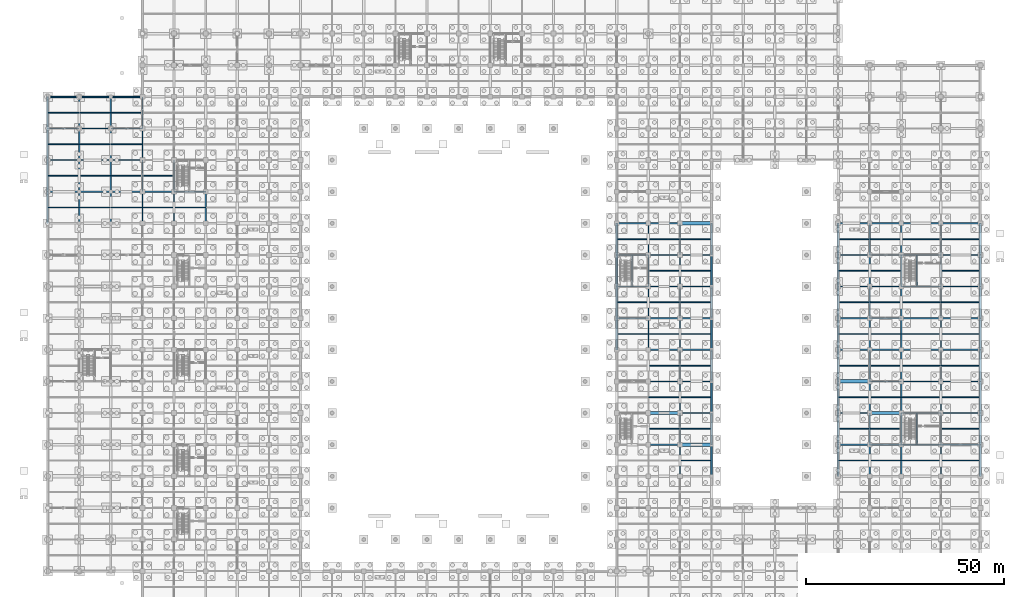
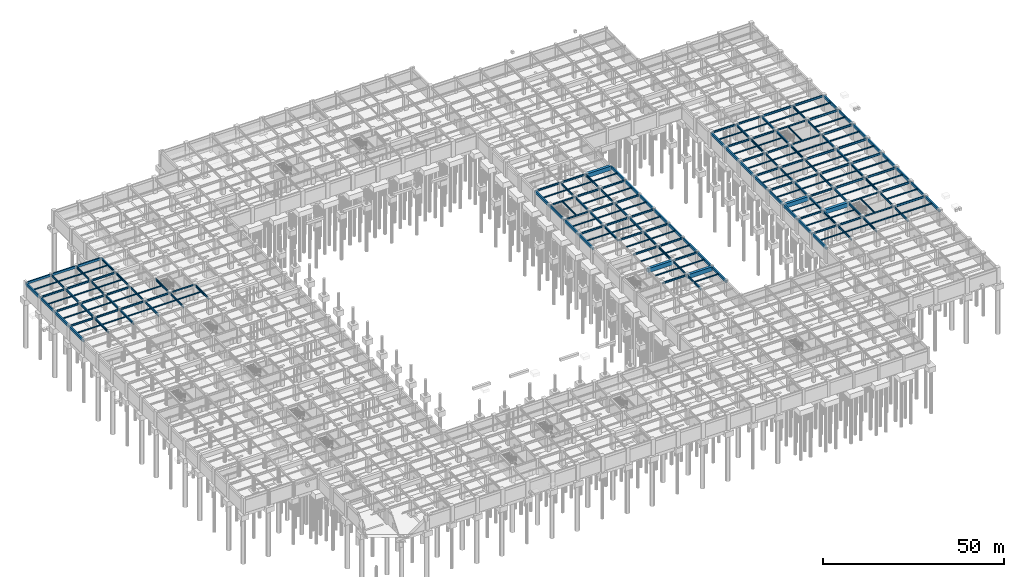
# One storey, part 62 of 97: 215 beams.
"""IFC4 building model written with IfcOpenShell, lengths in metres."""

from ifc_helpers import new_model, si_unit, direction, frame, origin, origin_2d, place, context, subcontext, project, spatial, rectangle, i_section, extrude, material, material_profile, profile_set, type_object, element, save


model = new_model("IFC4")

# Units and contexts
model_context = context("Model", 3, precision=1e-05, world=origin(), true_north=direction((0.0, 1.0)))
body_context = subcontext(model_context, "Body", "Model", "MODEL_VIEW")
ifc_project = project(units=[si_unit("LENGTHUNIT", "METRE"), si_unit("AREAUNIT", "SQUARE_METRE"), si_unit("VOLUMEUNIT", "CUBIC_METRE"), si_unit("PLANEANGLEUNIT", "RADIAN"), si_unit("MASSUNIT", "GRAM", prefix="KILO")], contexts=[model_context])

# Site, building, storey
site_placement = place(None, origin())
site = spatial("IfcSite", under=ifc_project, at=site_placement, CompositionType="ELEMENT")
building_placement = place(site_placement, origin())
building = spatial("IfcBuilding", under=site, at=building_placement, Name="Haebicheon Civic Stadium", CompositionType="ELEMENT")
storey_placement = place(building_placement, frame((0.0, 0.0, -5.39990234375)))
storey = spatial("IfcBuildingStorey", under=building, at=storey_placement, Name="B1", CompositionType="ELEMENT", Elevation=-5.39990234375)

# Beams
ifc_material_1 = material(Name="Steel SM355 (S355)", Category="steel")
ifc_material_profile_1 = material_profile(ifc_material_1, i_section(OverallWidth=0.199951171875, OverallDepth=0.5, WebThickness=0.010009765625, FlangeThickness=0.01611328125, at=origin_2d()), Name="H-500x200x10x16")
ifc_profile_set_1 = profile_set([ifc_material_profile_1], Name="Steel SM355 (S355)")
beam_type_1 = type_object("IfcBeamType", Name="BM-ST-H500", PredefinedType="BEAM", material=ifc_profile_set_1)
for number, where, z_axis, x_axis, name in (
    (1, (32.0, 128.0, 4.849853515625), (1.0, 0.0, 0.0), (0.0, 1.0, 0.0), "B1 beam S/5-6"),
    (2, (144.0, 104.0, 4.849853515625), (1.0, 0.0, 0.0), (0.0, 1.0, 0.0), "B1 beam P/19-20"),
    (3, (144.0, 112.0, 4.849853515625), (1.0, 0.0, 0.0), (0.0, 1.0, 0.0), "B1 beam Q/19-20"),
):
    element("IfcBeam", number, at=place(storey_placement, frame(where, z_axis=z_axis, x_axis=x_axis)), inside=storey, type_object=beam_type_1, material=ifc_profile_set_1, Name=name, PredefinedType="BEAM", context=body_context, shape_type="SweptSolid", body=[
        extrude(i_section(OverallWidth=0.199951171875, OverallDepth=0.5, WebThickness=0.010009765625, FlangeThickness=0.01611328125, at=origin_2d()), origin(), (0.0, 0.0, 1.0), 8.0),
    ])
for number, where, z_axis, x_axis, name in (
    (4, (216.0, 64.0, 4.849853515625), (1.0, 0.0, 0.0), (0.0, 1.0, 0.0), "B1 beam J/28-29"),
    (5, (216.0, 72.0, 4.849853515625), (1.0, 0.0, 0.0), (0.0, 1.0, 0.0), "B1 beam K/28-29"),
    (6, (216.0, 104.0, 4.849853515625), (1.0, 0.0, 0.0), (0.0, 1.0, 0.0), "B1 beam P/28-29"),
    (7, (216.0, 112.0, 4.849853515625), (1.0, 0.0, 0.0), (0.0, 1.0, 0.0), "B1 beam Q/28-29"),
):
    element("IfcBeam", number, at=place(storey_placement, frame(where, z_axis=z_axis, x_axis=x_axis)), inside=storey, type_object=beam_type_1, material=ifc_profile_set_1, Name=name, PredefinedType="BEAM", context=body_context, shape_type="SweptSolid", body=[
        extrude(i_section(OverallWidth=0.199951171875, OverallDepth=0.5, WebThickness=0.010009765625, FlangeThickness=0.01611328125, at=origin_2d()), origin(), (0.0, 0.0, 1.0), 10.0),
    ])
for number, where, z_axis, x_axis, name in (
    (8, (147.8798828125, 104.10009765625, 4.849853515625), (0.0, 1.0, 0.0), (-1.0, 0.0, 0.0), "B1 KC-11 core dividing wall support beam"),
    (9, (219.8798828125, 64.10009765625, 4.849853515625), (0.0, 1.0, 0.0), (-1.0, 0.0, 0.0), "B1 KC-12 core dividing wall support beam"),
    (10, (219.8798828125, 104.10009765625, 4.849853515625), (0.0, 1.0, 0.0), (-1.0, 0.0, 0.0), "B1 KC-13 core dividing wall support beam"),
):
    element("IfcBeam", number, at=place(storey_placement, frame(where, z_axis=z_axis, x_axis=x_axis)), inside=storey, type_object=beam_type_1, material=ifc_profile_set_1, Name=name, PredefinedType="BEAM", context=body_context, shape_type="SweptSolid", body=[
        extrude(i_section(OverallWidth=0.199951171875, OverallDepth=0.5, WebThickness=0.010009765625, FlangeThickness=0.01611328125, at=origin_2d()), origin(), (0.0, 0.0, 1.0), 7.7998046875),
    ])
ifc_material_2 = material(Name="Steel SM355 (S355)", Category="steel")
ifc_material_profile_2 = material_profile(ifc_material_2, i_section(OverallWidth=0.300048828125, OverallDepth=0.60009765625, WebThickness=0.011962890625, FlangeThickness=0.02001953125, at=origin_2d()), Name="H-600x300x12x20")
ifc_profile_set_2 = profile_set([ifc_material_profile_2], Name="Steel SM355 (S355)")
beam_type_2 = type_object("IfcBeamType", Name="BM-ST-H600A", PredefinedType="BEAM", material=ifc_profile_set_2)
for number, where, z_axis, x_axis, name in (
    (11, (0.0, 128.0, 4.7998046875), (1.0, 0.0, 0.0), (0.0, 1.0, 0.0), "B1 beam S/1-2"),
    (12, (0.0, 136.0, 4.7998046875), (1.0, 0.0, 0.0), (0.0, 1.0, 0.0), "B1 beam T/1-2"),
    (13, (0.0, 144.0, 4.7998046875), (1.0, 0.0, 0.0), (0.0, 1.0, 0.0), "B1 beam U/1-2"),
    (14, (8.0, 128.0, 4.7998046875), (1.0, 0.0, 0.0), (0.0, 1.0, 0.0), "B1 beam S/2-3"),
    (15, (8.0, 136.0, 4.7998046875), (1.0, 0.0, 0.0), (0.0, 1.0, 0.0), "B1 beam T/2-3"),
    (16, (8.0, 144.0, 4.7998046875), (1.0, 0.0, 0.0), (0.0, 1.0, 0.0), "B1 beam U/2-3"),
    (17, (16.0, 128.0, 4.7998046875), (1.0, 0.0, 0.0), (0.0, 1.0, 0.0), "B1 beam S/3-4"),
    (18, (16.0, 136.0, 4.7998046875), (1.0, 0.0, 0.0), (0.0, 1.0, 0.0), "B1 beam T/3-4"),
    (19, (16.0, 144.0, 4.7998046875), (1.0, 0.0, 0.0), (0.0, 1.0, 0.0), "B1 beam U/3-4"),
    (20, (24.0, 128.0, 4.7998046875), (1.0, 0.0, 0.0), (0.0, 1.0, 0.0), "B1 beam S/4-5"),
    (21, (144.0, 96.0, 4.7998046875), (1.0, 0.0, 0.0), (0.0, 1.0, 0.0), "B1 beam N/19-20"),
    (22, (144.0, 120.0, 4.7998046875), (1.0, 0.0, 0.0), (0.0, 1.0, 0.0), "B1 beam R/19-20"),
    (23, (152.0, 64.0, 4.7998046875), (1.0, 0.0, 0.0), (0.0, 1.0, 0.0), "B1 beam J/20-21"),
    (24, (152.0, 80.0, 4.7998046875), (1.0, 0.0, 0.0), (0.0, 1.0, 0.0), "B1 beam L/20-21"),
    (25, (152.0, 88.0, 4.7998046875), (1.0, 0.0, 0.0), (0.0, 1.0, 0.0), "B1 beam M/20-21"),
    (26, (152.0, 96.0, 4.7998046875), (1.0, 0.0, 0.0), (0.0, 1.0, 0.0), "B1 beam N/20-21"),
    (27, (152.0, 104.0, 4.7998046875), (1.0, 0.0, 0.0), (0.0, 1.0, 0.0), "B1 beam P/20-21"),
    (28, (152.0, 112.0, 4.7998046875), (1.0, 0.0, 0.0), (0.0, 1.0, 0.0), "B1 beam Q/20-21"),
    (29, (152.0, 120.0, 4.7998046875), (1.0, 0.0, 0.0), (0.0, 1.0, 0.0), "B1 beam R/20-21"),
    (30, (160.0, 72.0, 4.7998046875), (1.0, 0.0, 0.0), (0.0, 1.0, 0.0), "B1 beam K/21-22"),
    (31, (160.0, 80.0, 4.7998046875), (1.0, 0.0, 0.0), (0.0, 1.0, 0.0), "B1 beam L/21-22"),
    (32, (160.0, 88.0, 4.7998046875), (1.0, 0.0, 0.0), (0.0, 1.0, 0.0), "B1 beam M/21-22"),
    (33, (160.0, 96.0, 4.7998046875), (1.0, 0.0, 0.0), (0.0, 1.0, 0.0), "B1 beam N/21-22"),
    (34, (160.0, 104.0, 4.7998046875), (1.0, 0.0, 0.0), (0.0, 1.0, 0.0), "B1 beam P/21-22"),
    (35, (160.0, 112.0, 4.7998046875), (1.0, 0.0, 0.0), (0.0, 1.0, 0.0), "B1 beam Q/21-22"),
    (36, (200.0, 64.0, 4.7998046875), (1.0, 0.0, 0.0), (0.0, 1.0, 0.0), "B1 beam J/26-27"),
    (37, (200.0, 72.0, 4.7998046875), (1.0, 0.0, 0.0), (0.0, 1.0, 0.0), "B1 beam K/26-27"),
    (38, (200.0, 88.0, 4.7998046875), (1.0, 0.0, 0.0), (0.0, 1.0, 0.0), "B1 beam M/26-27"),
    (39, (200.0, 96.0, 4.7998046875), (1.0, 0.0, 0.0), (0.0, 1.0, 0.0), "B1 beam N/26-27"),
    (40, (200.0, 104.0, 4.7998046875), (1.0, 0.0, 0.0), (0.0, 1.0, 0.0), "B1 beam P/26-27"),
    (41, (200.0, 112.0, 4.7998046875), (1.0, 0.0, 0.0), (0.0, 1.0, 0.0), "B1 beam Q/26-27"),
    (42, (200.0, 120.0, 4.7998046875), (1.0, 0.0, 0.0), (0.0, 1.0, 0.0), "B1 beam R/26-27"),
    (43, (208.0, 64.0, 4.7998046875), (1.0, 0.0, 0.0), (0.0, 1.0, 0.0), "B1 beam J/27-28"),
    (44, (208.0, 80.0, 4.7998046875), (1.0, 0.0, 0.0), (0.0, 1.0, 0.0), "B1 beam L/27-28"),
    (45, (208.0, 88.0, 4.7998046875), (1.0, 0.0, 0.0), (0.0, 1.0, 0.0), "B1 beam M/27-28"),
    (46, (208.0, 96.0, 4.7998046875), (1.0, 0.0, 0.0), (0.0, 1.0, 0.0), "B1 beam N/27-28"),
    (47, (208.0, 104.0, 4.7998046875), (1.0, 0.0, 0.0), (0.0, 1.0, 0.0), "B1 beam P/27-28"),
    (48, (208.0, 112.0, 4.7998046875), (1.0, 0.0, 0.0), (0.0, 1.0, 0.0), "B1 beam Q/27-28"),
    (49, (208.0, 120.0, 4.7998046875), (1.0, 0.0, 0.0), (0.0, 1.0, 0.0), "B1 beam R/27-28"),
):
    element("IfcBeam", number, at=place(storey_placement, frame(where, z_axis=z_axis, x_axis=x_axis)), inside=storey, type_object=beam_type_2, material=ifc_profile_set_2, Name=name, PredefinedType="BEAM", context=body_context, shape_type="SweptSolid", body=[
        extrude(i_section(OverallWidth=0.300048828125, OverallDepth=0.60009765625, WebThickness=0.011962890625, FlangeThickness=0.02001953125, at=origin_2d()), origin(), (0.0, 0.0, 1.0), 8.0),
    ])
ifc_material_3 = material(Name="Steel SM490", Category="steel")
ifc_material_profile_3 = material_profile(ifc_material_3, i_section(OverallWidth=0.300048828125, OverallDepth=0.699951171875, WebThickness=0.012939453125, FlangeThickness=0.02392578125, at=origin_2d()), Name="H-700x300x13x24")
ifc_profile_set_3 = profile_set([ifc_material_profile_3], Name="Steel SM490")
beam_type_3 = type_object("IfcBeamType", Name="BM-ST-H700", PredefinedType="BEAM", material=ifc_profile_set_3)
for number, where, z_axis, x_axis, name in (
    (50, (8.0, 120.0, 4.75), (0.0, 1.0, 0.0), (-1.0, 0.0, 0.0), "B1 girder 2/R-S"),
    (51, (8.0, 128.0, 4.75), (0.0, 1.0, 0.0), (-1.0, 0.0, 0.0), "B1 girder 2/S-T"),
    (52, (8.0, 136.0, 4.75), (0.0, 1.0, 0.0), (-1.0, 0.0, 0.0), "B1 girder 2/T-U"),
    (53, (8.0, 144.0, 4.75), (0.0, 1.0, 0.0), (-1.0, 0.0, 0.0), "B1 girder 2/U-V"),
    (54, (16.0, 120.0, 4.75), (0.0, 1.0, 0.0), (-1.0, 0.0, 0.0), "B1 girder 3/R-S"),
    (55, (16.0, 128.0, 4.75), (0.0, 1.0, 0.0), (-1.0, 0.0, 0.0), "B1 girder 3/S-T"),
    (56, (16.0, 136.0, 4.75), (0.0, 1.0, 0.0), (-1.0, 0.0, 0.0), "B1 girder 3/T-U"),
    (57, (16.0, 144.0, 4.75), (0.0, 1.0, 0.0), (-1.0, 0.0, 0.0), "B1 girder 3/U-V"),
    (58, (24.0, 120.0, 4.75), (0.0, 1.0, 0.0), (-1.0, 0.0, 0.0), "B1 girder 4/R-S"),
    (59, (24.0, 128.0, 4.75), (0.0, 1.0, 0.0), (-1.0, 0.0, 0.0), "B1 girder 4/S-T"),
    (60, (24.0, 136.0, 4.75), (0.0, 1.0, 0.0), (-1.0, 0.0, 0.0), "B1 girder 4/T-U"),
    (61, (24.0, 144.0, 4.75), (0.0, 1.0, 0.0), (-1.0, 0.0, 0.0), "B1 girder 4/U-V"),
    (62, (32.0, 120.0, 4.75), (0.0, 1.0, 0.0), (-1.0, 0.0, 0.0), "B1 girder 5/R-S"),
    (63, (32.0, 128.0, 4.75), (0.0, 1.0, 0.0), (-1.0, 0.0, 0.0), "B1 girder 5/S-T"),
    (64, (40.0, 120.0, 4.75), (0.0, 1.0, 0.0), (-1.0, 0.0, 0.0), "B1 girder 6/R-S"),
    (65, (152.0, 88.0, 4.75), (0.0, 1.0, 0.0), (-1.0, 0.0, 0.0), "B1 girder 20/M-N"),
    (66, (152.0, 96.0, 4.75), (0.0, 1.0, 0.0), (-1.0, 0.0, 0.0), "B1 girder 20/N-P"),
    (67, (152.0, 104.0, 4.75), (0.0, 1.0, 0.0), (-1.0, 0.0, 0.0), "B1 girder 20/P-Q"),
    (68, (152.0, 112.0, 4.75), (0.0, 1.0, 0.0), (-1.0, 0.0, 0.0), "B1 girder 20/Q-R"),
    (69, (160.0, 56.0, 4.75), (0.0, 1.0, 0.0), (-1.0, 0.0, 0.0), "B1 girder 21/H-J"),
    (70, (160.0, 64.0, 4.75), (0.0, 1.0, 0.0), (-1.0, 0.0, 0.0), "B1 girder 21/J-K"),
    (71, (160.0, 72.0, 4.75), (0.0, 1.0, 0.0), (-1.0, 0.0, 0.0), "B1 girder 21/K-L"),
    (72, (160.0, 80.0, 4.75), (0.0, 1.0, 0.0), (-1.0, 0.0, 0.0), "B1 girder 21/L-M"),
    (73, (160.0, 88.0, 4.75), (0.0, 1.0, 0.0), (-1.0, 0.0, 0.0), "B1 girder 21/M-N"),
    (74, (160.0, 96.0, 4.75), (0.0, 1.0, 0.0), (-1.0, 0.0, 0.0), "B1 girder 21/N-P"),
    (75, (160.0, 104.0, 4.75), (0.0, 1.0, 0.0), (-1.0, 0.0, 0.0), "B1 girder 21/P-Q"),
    (76, (160.0, 112.0, 4.75), (0.0, 1.0, 0.0), (-1.0, 0.0, 0.0), "B1 girder 21/Q-R"),
    (77, (208.0, 56.0, 4.75), (0.0, 1.0, 0.0), (-1.0, 0.0, 0.0), "B1 girder 27/H-J"),
    (78, (208.0, 64.0, 4.75), (0.0, 1.0, 0.0), (-1.0, 0.0, 0.0), "B1 girder 27/J-K"),
    (79, (208.0, 72.0, 4.75), (0.0, 1.0, 0.0), (-1.0, 0.0, 0.0), "B1 girder 27/K-L"),
    (80, (208.0, 80.0, 4.75), (0.0, 1.0, 0.0), (-1.0, 0.0, 0.0), "B1 girder 27/L-M"),
    (81, (208.0, 88.0, 4.75), (0.0, 1.0, 0.0), (-1.0, 0.0, 0.0), "B1 girder 27/M-N"),
    (82, (208.0, 96.0, 4.75), (0.0, 1.0, 0.0), (-1.0, 0.0, 0.0), "B1 girder 27/N-P"),
    (83, (208.0, 104.0, 4.75), (0.0, 1.0, 0.0), (-1.0, 0.0, 0.0), "B1 girder 27/P-Q"),
    (84, (208.0, 112.0, 4.75), (0.0, 1.0, 0.0), (-1.0, 0.0, 0.0), "B1 girder 27/Q-R"),
    (85, (216.0, 56.0, 4.75), (0.0, 1.0, 0.0), (-1.0, 0.0, 0.0), "B1 girder 28/H-J"),
    (86, (216.0, 64.0, 4.75), (0.0, 1.0, 0.0), (-1.0, 0.0, 0.0), "B1 girder 28/J-K"),
    (87, (216.0, 72.0, 4.75), (0.0, 1.0, 0.0), (-1.0, 0.0, 0.0), "B1 girder 28/K-L"),
    (88, (216.0, 80.0, 4.75), (0.0, 1.0, 0.0), (-1.0, 0.0, 0.0), "B1 girder 28/L-M"),
    (89, (216.0, 88.0, 4.75), (0.0, 1.0, 0.0), (-1.0, 0.0, 0.0), "B1 girder 28/M-N"),
    (90, (216.0, 96.0, 4.75), (0.0, 1.0, 0.0), (-1.0, 0.0, 0.0), "B1 girder 28/N-P"),
    (91, (216.0, 104.0, 4.75), (0.0, 1.0, 0.0), (-1.0, 0.0, 0.0), "B1 girder 28/P-Q"),
    (92, (216.0, 112.0, 4.75), (0.0, 1.0, 0.0), (-1.0, 0.0, 0.0), "B1 girder 28/Q-R"),
    (93, (226.0, 56.0, 4.75), (0.0, 1.0, 0.0), (-1.0, 0.0, 0.0), "B1 girder 29/H-J"),
    (94, (226.0, 64.0, 4.75), (0.0, 1.0, 0.0), (-1.0, 0.0, 0.0), "B1 girder 29/J-K"),
    (95, (226.0, 72.0, 4.75), (0.0, 1.0, 0.0), (-1.0, 0.0, 0.0), "B1 girder 29/K-L"),
    (96, (226.0, 80.0, 4.75), (0.0, 1.0, 0.0), (-1.0, 0.0, 0.0), "B1 girder 29/L-M"),
    (97, (226.0, 88.0, 4.75), (0.0, 1.0, 0.0), (-1.0, 0.0, 0.0), "B1 girder 29/M-N"),
    (98, (226.0, 96.0, 4.75), (0.0, 1.0, 0.0), (-1.0, 0.0, 0.0), "B1 girder 29/N-P"),
    (99, (226.0, 104.0, 4.75), (0.0, 1.0, 0.0), (-1.0, 0.0, 0.0), "B1 girder 29/P-Q"),
    (100, (226.0, 112.0, 4.75), (0.0, 1.0, 0.0), (-1.0, 0.0, 0.0), "B1 girder 29/Q-R"),
):
    element("IfcBeam", number, at=place(storey_placement, frame(where, z_axis=z_axis, x_axis=x_axis)), inside=storey, type_object=beam_type_3, material=ifc_profile_set_3, Name=name, PredefinedType="BEAM", context=body_context, shape_type="SweptSolid", body=[
        extrude(i_section(OverallWidth=0.300048828125, OverallDepth=0.699951171875, WebThickness=0.012939453125, FlangeThickness=0.02392578125, at=origin_2d()), origin(), (0.0, 0.0, 1.0), 8.0),
    ])
for number, where, z_axis, x_axis, name in (
    (101, (216.0, 80.0, 4.75), (1.0, 0.0, 0.0), (0.0, 1.0, 0.0), "B1 beam L/28-29"),
    (102, (216.0, 88.0, 4.75), (1.0, 0.0, 0.0), (0.0, 1.0, 0.0), "B1 beam M/28-29"),
    (103, (216.0, 96.0, 4.75), (1.0, 0.0, 0.0), (0.0, 1.0, 0.0), "B1 beam N/28-29"),
    (104, (216.0, 120.0, 4.75), (1.0, 0.0, 0.0), (0.0, 1.0, 0.0), "B1 beam R/28-29"),
    (105, (226.0, 64.0, 4.75), (1.0, 0.0, 0.0), (0.0, 1.0, 0.0), "B1 beam J/29-30"),
    (106, (226.0, 72.0, 4.75), (1.0, 0.0, 0.0), (0.0, 1.0, 0.0), "B1 beam K/29-30"),
    (107, (226.0, 80.0, 4.75), (1.0, 0.0, 0.0), (0.0, 1.0, 0.0), "B1 beam L/29-30"),
    (108, (226.0, 88.0, 4.75), (1.0, 0.0, 0.0), (0.0, 1.0, 0.0), "B1 beam M/29-30"),
    (109, (226.0, 96.0, 4.75), (1.0, 0.0, 0.0), (0.0, 1.0, 0.0), "B1 beam N/29-30"),
    (110, (226.0, 104.0, 4.75), (1.0, 0.0, 0.0), (0.0, 1.0, 0.0), "B1 beam P/29-30"),
    (111, (226.0, 112.0, 4.75), (1.0, 0.0, 0.0), (0.0, 1.0, 0.0), "B1 beam Q/29-30"),
    (112, (226.0, 120.0, 4.75), (1.0, 0.0, 0.0), (0.0, 1.0, 0.0), "B1 beam R/29-30"),
):
    element("IfcBeam", number, at=place(storey_placement, frame(where, z_axis=z_axis, x_axis=x_axis)), inside=storey, type_object=beam_type_3, material=ifc_profile_set_3, Name=name, PredefinedType="BEAM", context=body_context, shape_type="SweptSolid", body=[
        extrude(i_section(OverallWidth=0.300048828125, OverallDepth=0.699951171875, WebThickness=0.012939453125, FlangeThickness=0.02392578125, at=origin_2d()), origin(), (0.0, 0.0, 1.0), 10.0),
    ])
ifc_material_4 = material(Name="Concrete C40/50", Category="concrete")
ifc_material_profile_4 = material_profile(ifc_material_4, rectangle(XDim=0.85009765625, YDim=1.39990234375, at=origin_2d()), Name="RC-TG-850x1400")
ifc_profile_set_4 = profile_set([ifc_material_profile_4], Name="Concrete C40/50")
beam_type_4 = type_object("IfcBeamType", Name="BM-TG-850x1400", PredefinedType="BEAM", material=ifc_profile_set_4)
for number, where, z_axis, x_axis, name in (
    (113, (152.0, 72.0, 4.39990234375), (1.0, 0.0, 0.0), (0.0, 1.0, 0.0), "B1 beam K/20-21"),
    (114, (160.0, 64.0, 4.39990234375), (1.0, 0.0, 0.0), (0.0, 1.0, 0.0), "B1 beam J/21-22"),
    (115, (160.0, 120.0, 4.39990234375), (1.0, 0.0, 0.0), (0.0, 1.0, 0.0), "B1 beam R/21-22"),
    (116, (200.0, 80.0, 4.39990234375), (1.0, 0.0, 0.0), (0.0, 1.0, 0.0), "B1 beam L/26-27"),
    (117, (208.0, 72.0, 4.39990234375), (1.0, 0.0, 0.0), (0.0, 1.0, 0.0), "B1 beam K/27-28"),
):
    element("IfcBeam", number, at=place(storey_placement, frame(where, z_axis=z_axis, x_axis=x_axis)), inside=storey, type_object=beam_type_4, material=ifc_profile_set_4, Name=name, PredefinedType="BEAM", context=body_context, shape_type="SweptSolid", body=[
        extrude(rectangle(XDim=0.85009765625, YDim=1.39990234375, at=origin_2d()), origin(), (0.0, 0.0, 1.0), 8.0),
    ])
ifc_material_5 = material(Name="Steel SM355 (S355)", Category="steel")
ifc_material_profile_5 = material_profile(ifc_material_5, i_section(OverallWidth=0.199951171875, OverallDepth=0.39990234375, WebThickness=0.008056640625, FlangeThickness=0.012939453125, at=origin_2d()), Name="H-400x200x8x13")
ifc_profile_set_5 = profile_set([ifc_material_profile_5], Name="Steel SM355 (S355)")
beam_type_5 = type_object("IfcBeamType", Name="JST-ST-H400", PredefinedType="JOIST", material=ifc_profile_set_5)
for number, where, z_axis, x_axis, name in (
    (118, (0.22509765625, 124.0, 4.89990234375), (1.0, 0.0, 0.0), (0.0, 1.0, 0.0), "B1 secondary joist 00-15"),
    (119, (0.22509765625, 132.0, 4.89990234375), (1.0, 0.0, 0.0), (0.0, 1.0, 0.0), "B1 secondary joist 00-16"),
    (120, (0.22509765625, 140.0, 4.89990234375), (1.0, 0.0, 0.0), (0.0, 1.0, 0.0), "B1 secondary joist 00-17"),
    (121, (0.22509765625, 148.0, 4.89990234375), (1.0, 0.0, 0.0), (0.0, 1.0, 0.0), "B1 secondary joist 00-18"),
):
    element("IfcBeam", number, at=place(storey_placement, frame(where, z_axis=z_axis, x_axis=x_axis)), inside=storey, type_object=beam_type_5, material=ifc_profile_set_5, Name=name, PredefinedType="JOIST", context=body_context, shape_type="SweptSolid", body=[
        extrude(i_section(OverallWidth=0.199951171875, OverallDepth=0.39990234375, WebThickness=0.008056640625, FlangeThickness=0.012939453125, at=origin_2d()), origin(), (0.0, 0.0, 1.0), 7.625),
    ])
for number, where, z_axis, x_axis, name in (
    (122, (8.14990234375, 124.0, 4.89990234375), (1.0, 0.0, 0.0), (0.0, 1.0, 0.0), "B1 secondary joist 01-15"),
    (123, (8.14990234375, 132.0, 4.89990234375), (1.0, 0.0, 0.0), (0.0, 1.0, 0.0), "B1 secondary joist 01-16"),
    (124, (8.14990234375, 140.0, 4.89990234375), (1.0, 0.0, 0.0), (0.0, 1.0, 0.0), "B1 secondary joist 01-17"),
    (125, (8.14990234375, 148.0, 4.89990234375), (1.0, 0.0, 0.0), (0.0, 1.0, 0.0), "B1 secondary joist 01-18"),
    (126, (16.14990234375, 124.0, 4.89990234375), (1.0, 0.0, 0.0), (0.0, 1.0, 0.0), "B1 secondary joist 02-15"),
    (127, (16.14990234375, 132.0, 4.89990234375), (1.0, 0.0, 0.0), (0.0, 1.0, 0.0), "B1 secondary joist 02-16"),
    (128, (16.14990234375, 140.0, 4.89990234375), (1.0, 0.0, 0.0), (0.0, 1.0, 0.0), "B1 secondary joist 02-17"),
    (129, (16.14990234375, 148.0, 4.89990234375), (1.0, 0.0, 0.0), (0.0, 1.0, 0.0), "B1 secondary joist 02-18"),
    (130, (24.14990234375, 124.0, 4.89990234375), (1.0, 0.0, 0.0), (0.0, 1.0, 0.0), "B1 secondary joist 03-15"),
    (131, (24.14990234375, 132.0, 4.89990234375), (1.0, 0.0, 0.0), (0.0, 1.0, 0.0), "B1 secondary joist 03-16"),
    (132, (32.14990234375, 124.0, 4.89990234375), (1.0, 0.0, 0.0), (0.0, 1.0, 0.0), "B1 secondary joist 04-15"),
):
    element("IfcBeam", number, at=place(storey_placement, frame(where, z_axis=z_axis, x_axis=x_axis)), inside=storey, type_object=beam_type_5, material=ifc_profile_set_5, Name=name, PredefinedType="JOIST", context=body_context, shape_type="SweptSolid", body=[
        extrude(i_section(OverallWidth=0.199951171875, OverallDepth=0.39990234375, WebThickness=0.008056640625, FlangeThickness=0.012939453125, at=origin_2d()), origin(), (0.0, 0.0, 1.0), 7.7001953125),
    ])
for number, where, z_axis, x_axis, name in (
    (133, (144.22509765625, 92.0, 4.89990234375), (1.0, 0.0, 0.0), (0.0, 1.0, 0.0), "B1 secondary joist 18-11"),
    (134, (144.22509765625, 100.0, 4.89990234375), (1.0, 0.0, 0.0), (0.0, 1.0, 0.0), "B1 secondary joist 18-12"),
    (135, (144.22509765625, 116.0, 4.89990234375), (1.0, 0.0, 0.0), (0.0, 1.0, 0.0), "B1 secondary joist 18-14"),
):
    element("IfcBeam", number, at=place(storey_placement, frame(where, z_axis=z_axis, x_axis=x_axis)), inside=storey, type_object=beam_type_5, material=ifc_profile_set_5, Name=name, PredefinedType="JOIST", context=body_context, shape_type="SweptSolid", body=[
        extrude(i_section(OverallWidth=0.199951171875, OverallDepth=0.39990234375, WebThickness=0.008056640625, FlangeThickness=0.012939453125, at=origin_2d()), origin(), (0.0, 0.0, 1.0), 7.625),
    ])
for number, where, z_axis, x_axis, name in (
    (136, (152.14990234375, 68.0, 4.89990234375), (1.0, 0.0, 0.0), (0.0, 1.0, 0.0), "B1 secondary joist 19-08"),
    (137, (152.14990234375, 76.0, 4.89990234375), (1.0, 0.0, 0.0), (0.0, 1.0, 0.0), "B1 secondary joist 19-09"),
    (138, (152.14990234375, 84.0, 4.89990234375), (1.0, 0.0, 0.0), (0.0, 1.0, 0.0), "B1 secondary joist 19-10"),
    (139, (152.14990234375, 92.0, 4.89990234375), (1.0, 0.0, 0.0), (0.0, 1.0, 0.0), "B1 secondary joist 19-11"),
    (140, (152.14990234375, 100.0, 4.89990234375), (1.0, 0.0, 0.0), (0.0, 1.0, 0.0), "B1 secondary joist 19-12"),
    (141, (152.14990234375, 108.0, 4.89990234375), (1.0, 0.0, 0.0), (0.0, 1.0, 0.0), "B1 secondary joist 19-13"),
    (142, (152.14990234375, 116.0, 4.89990234375), (1.0, 0.0, 0.0), (0.0, 1.0, 0.0), "B1 secondary joist 19-14"),
):
    element("IfcBeam", number, at=place(storey_placement, frame(where, z_axis=z_axis, x_axis=x_axis)), inside=storey, type_object=beam_type_5, material=ifc_profile_set_5, Name=name, PredefinedType="JOIST", context=body_context, shape_type="SweptSolid", body=[
        extrude(i_section(OverallWidth=0.199951171875, OverallDepth=0.39990234375, WebThickness=0.008056640625, FlangeThickness=0.012939453125, at=origin_2d()), origin(), (0.0, 0.0, 1.0), 7.7001953125),
    ])
for number, where, z_axis, x_axis, name in (
    (143, (160.14990234375, 60.0, 4.89990234375), (1.0, 0.0, 0.0), (0.0, 1.0, 0.0), "B1 secondary joist 20-07"),
    (144, (160.14990234375, 68.0, 4.89990234375), (1.0, 0.0, 0.0), (0.0, 1.0, 0.0), "B1 secondary joist 20-08"),
    (145, (160.14990234375, 76.0, 4.89990234375), (1.0, 0.0, 0.0), (0.0, 1.0, 0.0), "B1 secondary joist 20-09"),
    (146, (160.14990234375, 84.0, 4.89990234375), (1.0, 0.0, 0.0), (0.0, 1.0, 0.0), "B1 secondary joist 20-10"),
    (147, (160.14990234375, 92.0, 4.89990234375), (1.0, 0.0, 0.0), (0.0, 1.0, 0.0), "B1 secondary joist 20-11"),
    (148, (160.14990234375, 100.0, 4.89990234375), (1.0, 0.0, 0.0), (0.0, 1.0, 0.0), "B1 secondary joist 20-12"),
    (149, (160.14990234375, 108.0, 4.89990234375), (1.0, 0.0, 0.0), (0.0, 1.0, 0.0), "B1 secondary joist 20-13"),
    (150, (160.14990234375, 116.0, 4.89990234375), (1.0, 0.0, 0.0), (0.0, 1.0, 0.0), "B1 secondary joist 20-14"),
    (151, (200.22509765625, 60.0, 4.89990234375), (1.0, 0.0, 0.0), (0.0, 1.0, 0.0), "B1 secondary joist 25-07"),
    (152, (200.22509765625, 68.0, 4.89990234375), (1.0, 0.0, 0.0), (0.0, 1.0, 0.0), "B1 secondary joist 25-08"),
    (153, (200.22509765625, 76.0, 4.89990234375), (1.0, 0.0, 0.0), (0.0, 1.0, 0.0), "B1 secondary joist 25-09"),
    (154, (200.22509765625, 84.0, 4.89990234375), (1.0, 0.0, 0.0), (0.0, 1.0, 0.0), "B1 secondary joist 25-10"),
    (155, (200.22509765625, 92.0, 4.89990234375), (1.0, 0.0, 0.0), (0.0, 1.0, 0.0), "B1 secondary joist 25-11"),
    (156, (200.22509765625, 100.0, 4.89990234375), (1.0, 0.0, 0.0), (0.0, 1.0, 0.0), "B1 secondary joist 25-12"),
    (157, (200.22509765625, 108.0, 4.89990234375), (1.0, 0.0, 0.0), (0.0, 1.0, 0.0), "B1 secondary joist 25-13"),
    (158, (200.22509765625, 116.0, 4.89990234375), (1.0, 0.0, 0.0), (0.0, 1.0, 0.0), "B1 secondary joist 25-14"),
):
    element("IfcBeam", number, at=place(storey_placement, frame(where, z_axis=z_axis, x_axis=x_axis)), inside=storey, type_object=beam_type_5, material=ifc_profile_set_5, Name=name, PredefinedType="JOIST", context=body_context, shape_type="SweptSolid", body=[
        extrude(i_section(OverallWidth=0.199951171875, OverallDepth=0.39990234375, WebThickness=0.008056640625, FlangeThickness=0.012939453125, at=origin_2d()), origin(), (0.0, 0.0, 1.0), 7.625),
    ])
for number, where, z_axis, x_axis, name in (
    (159, (208.14990234375, 60.0, 4.89990234375), (1.0, 0.0, 0.0), (0.0, 1.0, 0.0), "B1 secondary joist 26-07"),
    (160, (208.14990234375, 68.0, 4.89990234375), (1.0, 0.0, 0.0), (0.0, 1.0, 0.0), "B1 secondary joist 26-08"),
    (161, (208.14990234375, 76.0, 4.89990234375), (1.0, 0.0, 0.0), (0.0, 1.0, 0.0), "B1 secondary joist 26-09"),
    (162, (208.14990234375, 84.0, 4.89990234375), (1.0, 0.0, 0.0), (0.0, 1.0, 0.0), "B1 secondary joist 26-10"),
    (163, (208.14990234375, 92.0, 4.89990234375), (1.0, 0.0, 0.0), (0.0, 1.0, 0.0), "B1 secondary joist 26-11"),
    (164, (208.14990234375, 100.0, 4.89990234375), (1.0, 0.0, 0.0), (0.0, 1.0, 0.0), "B1 secondary joist 26-12"),
    (165, (208.14990234375, 108.0, 4.89990234375), (1.0, 0.0, 0.0), (0.0, 1.0, 0.0), "B1 secondary joist 26-13"),
    (166, (208.14990234375, 116.0, 4.89990234375), (1.0, 0.0, 0.0), (0.0, 1.0, 0.0), "B1 secondary joist 26-14"),
):
    element("IfcBeam", number, at=place(storey_placement, frame(where, z_axis=z_axis, x_axis=x_axis)), inside=storey, type_object=beam_type_5, material=ifc_profile_set_5, Name=name, PredefinedType="JOIST", context=body_context, shape_type="SweptSolid", body=[
        extrude(i_section(OverallWidth=0.199951171875, OverallDepth=0.39990234375, WebThickness=0.008056640625, FlangeThickness=0.012939453125, at=origin_2d()), origin(), (0.0, 0.0, 1.0), 7.7001953125),
    ])
ifc_material_6 = material(Name="Steel SM355 (S355)", Category="steel")
ifc_material_profile_6 = material_profile(ifc_material_6, i_section(OverallWidth=0.199951171875, OverallDepth=0.449951171875, WebThickness=0.009033203125, FlangeThickness=0.013916015625, at=origin_2d()), Name="H-450x200x9x14")
ifc_profile_set_6 = profile_set([ifc_material_profile_6], Name="Steel SM355 (S355)")
beam_type_6 = type_object("IfcBeamType", Name="JST-ST-H450", PredefinedType="JOIST", material=ifc_profile_set_6)
for number, where, z_axis, x_axis, name in (
    (167, (216.14990234375, 60.0, 4.875), (1.0, 0.0, 0.0), (0.0, 1.0, 0.0), "B1 secondary joist 27-07"),
    (168, (216.14990234375, 76.0, 4.875), (1.0, 0.0, 0.0), (0.0, 1.0, 0.0), "B1 secondary joist 27-09"),
    (169, (216.14990234375, 84.0, 4.875), (1.0, 0.0, 0.0), (0.0, 1.0, 0.0), "B1 secondary joist 27-10"),
    (170, (216.14990234375, 92.0, 4.875), (1.0, 0.0, 0.0), (0.0, 1.0, 0.0), "B1 secondary joist 27-11"),
    (171, (216.14990234375, 100.0, 4.875), (1.0, 0.0, 0.0), (0.0, 1.0, 0.0), "B1 secondary joist 27-12"),
    (172, (216.14990234375, 116.0, 4.875), (1.0, 0.0, 0.0), (0.0, 1.0, 0.0), "B1 secondary joist 27-14"),
):
    element("IfcBeam", number, at=place(storey_placement, frame(where, z_axis=z_axis, x_axis=x_axis)), inside=storey, type_object=beam_type_6, material=ifc_profile_set_6, Name=name, PredefinedType="JOIST", context=body_context, shape_type="SweptSolid", body=[
        extrude(i_section(OverallWidth=0.199951171875, OverallDepth=0.449951171875, WebThickness=0.009033203125, FlangeThickness=0.013916015625, at=origin_2d()), origin(), (0.0, 0.0, 1.0), 9.7001953125),
    ])
for number, where, z_axis, x_axis, name in (
    (173, (226.14990234375, 60.0, 4.875), (1.0, 0.0, 0.0), (0.0, 1.0, 0.0), "B1 secondary joist 28-07"),
    (174, (226.14990234375, 68.0, 4.875), (1.0, 0.0, 0.0), (0.0, 1.0, 0.0), "B1 secondary joist 28-08"),
    (175, (226.14990234375, 76.0, 4.875), (1.0, 0.0, 0.0), (0.0, 1.0, 0.0), "B1 secondary joist 28-09"),
    (176, (226.14990234375, 84.0, 4.875), (1.0, 0.0, 0.0), (0.0, 1.0, 0.0), "B1 secondary joist 28-10"),
    (177, (226.14990234375, 92.0, 4.875), (1.0, 0.0, 0.0), (0.0, 1.0, 0.0), "B1 secondary joist 28-11"),
    (178, (226.14990234375, 100.0, 4.875), (1.0, 0.0, 0.0), (0.0, 1.0, 0.0), "B1 secondary joist 28-12"),
    (179, (226.14990234375, 108.0, 4.875), (1.0, 0.0, 0.0), (0.0, 1.0, 0.0), "B1 secondary joist 28-13"),
    (180, (226.14990234375, 116.0, 4.875), (1.0, 0.0, 0.0), (0.0, 1.0, 0.0), "B1 secondary joist 28-14"),
):
    element("IfcBeam", number, at=place(storey_placement, frame(where, z_axis=z_axis, x_axis=x_axis)), inside=storey, type_object=beam_type_6, material=ifc_profile_set_6, Name=name, PredefinedType="JOIST", context=body_context, shape_type="SweptSolid", body=[
        extrude(i_section(OverallWidth=0.199951171875, OverallDepth=0.449951171875, WebThickness=0.009033203125, FlangeThickness=0.013916015625, at=origin_2d()), origin(), (0.0, 0.0, 1.0), 9.625),
    ])
ifc_material_7 = material(Name="Concrete C40/50", Category="concrete")
ifc_material_profile_7 = material_profile(ifc_material_7, rectangle(XDim=0.39990234375, YDim=0.75, at=origin_2d()), Name="RC-SP-400x750")
ifc_profile_set_7 = profile_set([ifc_material_profile_7], Name="Concrete C40/50")
beam_type_7 = type_object("IfcBeamType", Name="SPD-RC-400x750", PredefinedType="SPANDREL", material=ifc_profile_set_7)
for number, where, z_axis, x_axis, name in (
    (181, (0.0, 152.0, 4.724853515625), (1.0, 0.0, 0.0), (0.0, 1.0, 0.0), "B1 beam V/1-2"),
    (182, (8.0, 152.0, 4.724853515625), (1.0, 0.0, 0.0), (0.0, 1.0, 0.0), "B1 beam V/2-3"),
    (183, (16.0, 152.0, 4.724853515625), (1.0, 0.0, 0.0), (0.0, 1.0, 0.0), "B1 beam V/3-4"),
):
    element("IfcBeam", number, at=place(storey_placement, frame(where, z_axis=z_axis, x_axis=x_axis)), inside=storey, type_object=beam_type_7, material=ifc_profile_set_7, Name=name, PredefinedType="SPANDREL", context=body_context, shape_type="SweptSolid", body=[
        extrude(rectangle(XDim=0.39990234375, YDim=0.75, at=origin_2d()), origin(), (0.0, 0.0, 1.0), 8.0),
    ])
ifc_material_8 = material(Name="Concrete C40/50", Category="concrete")
ifc_material_profile_8 = material_profile(ifc_material_8, rectangle(XDim=0.449951171875, YDim=0.85009765625, at=origin_2d()), Name="RC-SP-450x850")
ifc_profile_set_8 = profile_set([ifc_material_profile_8], Name="Concrete C40/50")
beam_type_8 = type_object("IfcBeamType", Name="SPD-RC-450x850", PredefinedType="SPANDREL", material=ifc_profile_set_8)
for number, where, z_axis, x_axis, name in (
    (184, (0.0, 120.0, 4.6748046875), (0.0, 1.0, 0.0), (-1.0, 0.0, 0.0), "B1 girder 1/R-S"),
    (185, (0.0, 128.0, 4.6748046875), (0.0, 1.0, 0.0), (-1.0, 0.0, 0.0), "B1 girder 1/S-T"),
    (186, (0.0, 136.0, 4.6748046875), (0.0, 1.0, 0.0), (-1.0, 0.0, 0.0), "B1 girder 1/T-U"),
    (187, (0.0, 144.0, 4.6748046875), (0.0, 1.0, 0.0), (-1.0, 0.0, 0.0), "B1 girder 1/U-V"),
    (188, (144.0, 88.0, 4.6748046875), (0.0, 1.0, 0.0), (-1.0, 0.0, 0.0), "B1 girder 19/M-N"),
    (189, (144.0, 96.0, 4.6748046875), (0.0, 1.0, 0.0), (-1.0, 0.0, 0.0), "B1 girder 19/N-P"),
    (190, (144.0, 104.0, 4.6748046875), (0.0, 1.0, 0.0), (-1.0, 0.0, 0.0), "B1 girder 19/P-Q"),
    (191, (144.0, 112.0, 4.6748046875), (0.0, 1.0, 0.0), (-1.0, 0.0, 0.0), "B1 girder 19/Q-R"),
    (192, (168.0, 56.0, 4.6748046875), (0.0, 1.0, 0.0), (-1.0, 0.0, 0.0), "B1 girder 22/H-J"),
    (193, (168.0, 64.0, 4.6748046875), (0.0, 1.0, 0.0), (-1.0, 0.0, 0.0), "B1 girder 22/J-K"),
    (194, (168.0, 72.0, 4.6748046875), (0.0, 1.0, 0.0), (-1.0, 0.0, 0.0), "B1 girder 22/K-L"),
    (195, (168.0, 80.0, 4.6748046875), (0.0, 1.0, 0.0), (-1.0, 0.0, 0.0), "B1 girder 22/L-M"),
    (196, (168.0, 88.0, 4.6748046875), (0.0, 1.0, 0.0), (-1.0, 0.0, 0.0), "B1 girder 22/M-N"),
    (197, (168.0, 96.0, 4.6748046875), (0.0, 1.0, 0.0), (-1.0, 0.0, 0.0), "B1 girder 22/N-P"),
    (198, (168.0, 104.0, 4.6748046875), (0.0, 1.0, 0.0), (-1.0, 0.0, 0.0), "B1 girder 22/P-Q"),
    (199, (168.0, 112.0, 4.6748046875), (0.0, 1.0, 0.0), (-1.0, 0.0, 0.0), "B1 girder 22/Q-R"),
    (200, (200.0, 56.0, 4.6748046875), (0.0, 1.0, 0.0), (-1.0, 0.0, 0.0), "B1 girder 26/H-J"),
    (201, (200.0, 64.0, 4.6748046875), (0.0, 1.0, 0.0), (-1.0, 0.0, 0.0), "B1 girder 26/J-K"),
    (202, (200.0, 72.0, 4.6748046875), (0.0, 1.0, 0.0), (-1.0, 0.0, 0.0), "B1 girder 26/K-L"),
    (203, (200.0, 80.0, 4.6748046875), (0.0, 1.0, 0.0), (-1.0, 0.0, 0.0), "B1 girder 26/L-M"),
    (204, (200.0, 88.0, 4.6748046875), (0.0, 1.0, 0.0), (-1.0, 0.0, 0.0), "B1 girder 26/M-N"),
    (205, (200.0, 96.0, 4.6748046875), (0.0, 1.0, 0.0), (-1.0, 0.0, 0.0), "B1 girder 26/N-P"),
    (206, (200.0, 104.0, 4.6748046875), (0.0, 1.0, 0.0), (-1.0, 0.0, 0.0), "B1 girder 26/P-Q"),
    (207, (200.0, 112.0, 4.6748046875), (0.0, 1.0, 0.0), (-1.0, 0.0, 0.0), "B1 girder 26/Q-R"),
    (208, (236.0, 56.0, 4.6748046875), (0.0, 1.0, 0.0), (-1.0, 0.0, 0.0), "B1 girder 30/H-J"),
    (209, (236.0, 64.0, 4.6748046875), (0.0, 1.0, 0.0), (-1.0, 0.0, 0.0), "B1 girder 30/J-K"),
    (210, (236.0, 72.0, 4.6748046875), (0.0, 1.0, 0.0), (-1.0, 0.0, 0.0), "B1 girder 30/K-L"),
    (211, (236.0, 80.0, 4.6748046875), (0.0, 1.0, 0.0), (-1.0, 0.0, 0.0), "B1 girder 30/L-M"),
    (212, (236.0, 88.0, 4.6748046875), (0.0, 1.0, 0.0), (-1.0, 0.0, 0.0), "B1 girder 30/M-N"),
    (213, (236.0, 96.0, 4.6748046875), (0.0, 1.0, 0.0), (-1.0, 0.0, 0.0), "B1 girder 30/N-P"),
    (214, (236.0, 104.0, 4.6748046875), (0.0, 1.0, 0.0), (-1.0, 0.0, 0.0), "B1 girder 30/P-Q"),
    (215, (236.0, 112.0, 4.6748046875), (0.0, 1.0, 0.0), (-1.0, 0.0, 0.0), "B1 girder 30/Q-R"),
):
    element("IfcBeam", number, at=place(storey_placement, frame(where, z_axis=z_axis, x_axis=x_axis)), inside=storey, type_object=beam_type_8, material=ifc_profile_set_8, Name=name, PredefinedType="SPANDREL", context=body_context, shape_type="SweptSolid", body=[
        extrude(rectangle(XDim=0.449951171875, YDim=0.85009765625, at=origin_2d()), origin(), (0.0, 0.0, 1.0), 8.0),
    ])

save(model, "model.ifc")
